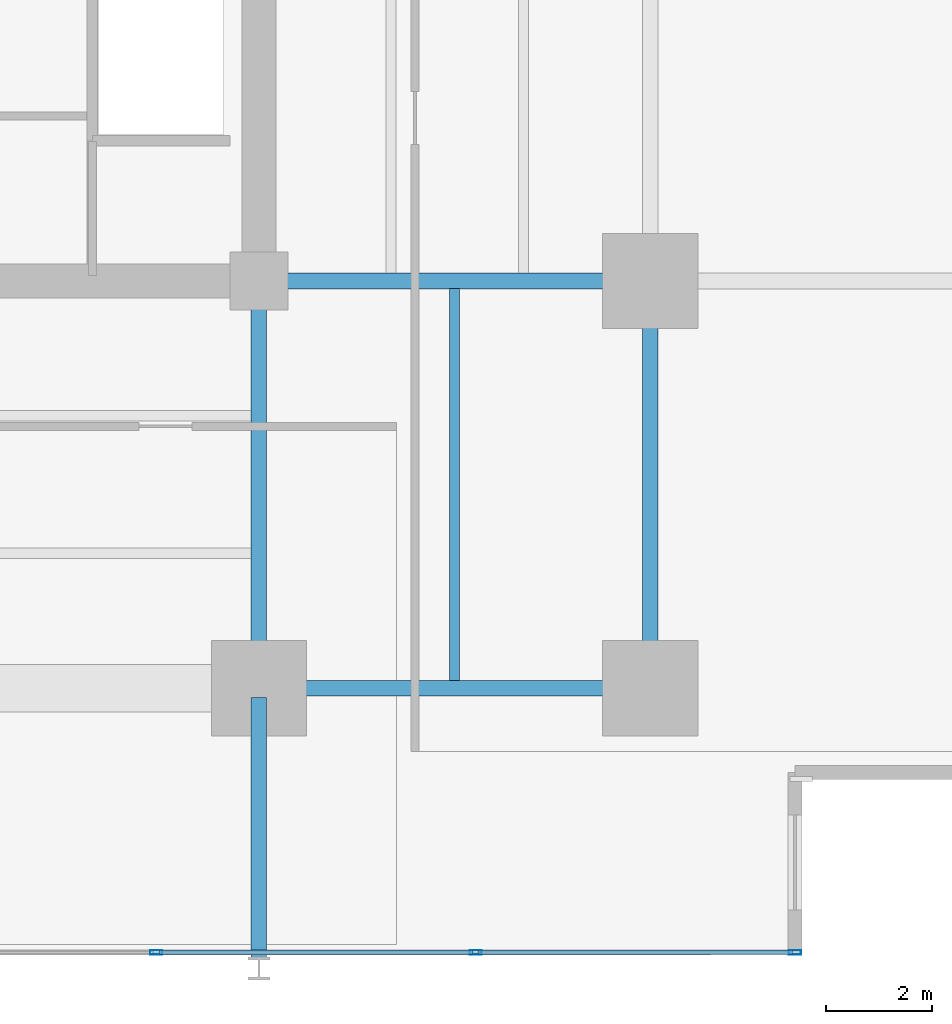
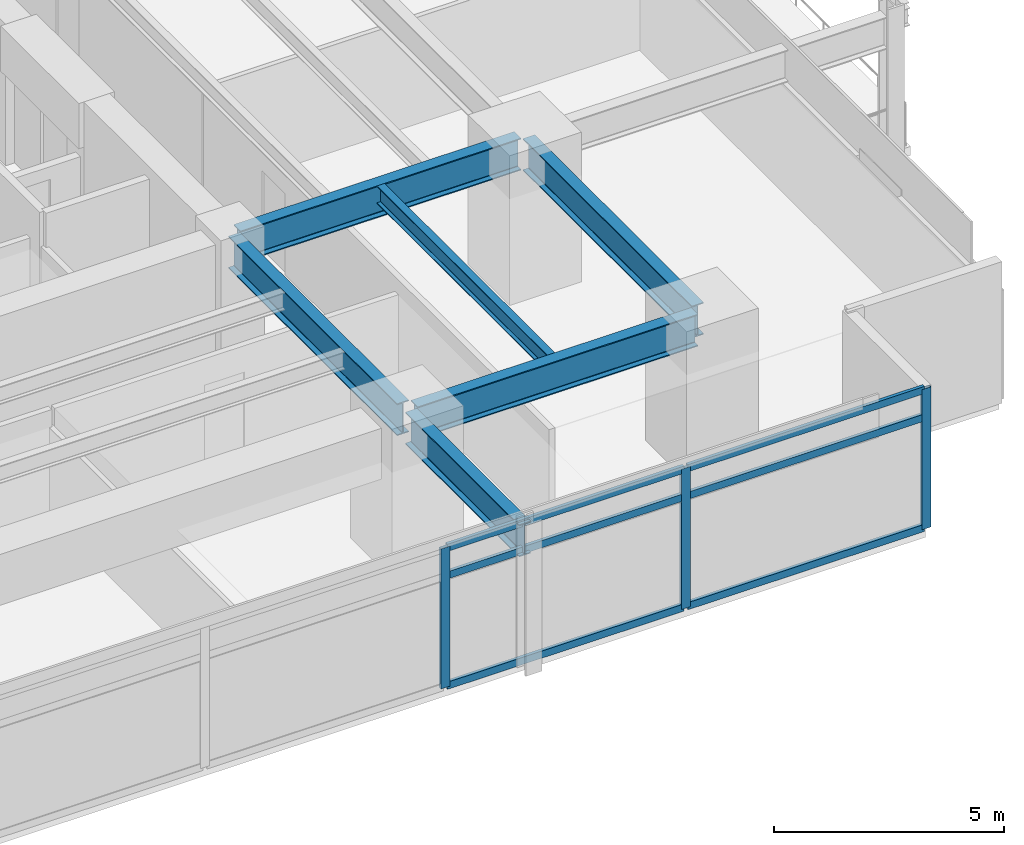
# One storey, part 6 of 21: 9 members, 6 beams, 1 element without a shape of its own.
"""IFC4 building model written with IfcOpenShell, lengths in metres."""

from ifc_helpers import new_model, si_unit, direction, frame, origin, origin_2d, place, context, subcontext, project, spatial, hollow_rectangle, i_section, extrude, material, material_profile, profile_set, type_object, element, aggregate, save


model = new_model("IFC4")

# Units and contexts
model_context = context("Model", 3, precision=1e-05, world=origin(), true_north=direction((0.0, 1.0)))
body_context = subcontext(model_context, "Body", "Model", "MODEL_VIEW")
ifc_project = project(units=[si_unit("LENGTHUNIT", "METRE"), si_unit("AREAUNIT", "SQUARE_METRE"), si_unit("VOLUMEUNIT", "CUBIC_METRE"), si_unit("PLANEANGLEUNIT", "RADIAN"), si_unit("MASSUNIT", "GRAM", prefix="KILO")], contexts=[model_context])

# Site, building, storey
site_placement = place(None, origin())
site = spatial("IfcSite", under=ifc_project, at=site_placement, CompositionType="ELEMENT")
building_placement = place(site_placement, origin())
building = spatial("IfcBuilding", under=site, at=building_placement, Name="Kovane Verandah Tower", CompositionType="ELEMENT")
storey_placement = place(building_placement, frame((0.0, 0.0, 31.60009765625)))
storey = spatial("IfcBuildingStorey", under=building, at=storey_placement, Name="L06", CompositionType="ELEMENT", Elevation=31.60009765625)

# Beams
ifc_material_1 = material(Name="Steel S355", Category="steel")
ifc_material_profile_1 = material_profile(ifc_material_1, i_section(OverallWidth=0.293701171875, OverallDepth=0.850830078125, WebThickness=0.01611328125, FlangeThickness=0.02685546875, FilletRadius=0.017822265625, at=origin_2d()), Name="UB838x292x226")
ifc_profile_set_1 = profile_set([ifc_material_profile_1], Name="Steel S355")
beam_type_1 = type_object("IfcBeamType", Name="BM-UB838x226", PredefinedType="BEAM", material=ifc_profile_set_1)
beam_1_placement = place(storey_placement, frame((51.179931640625, 10.800048828125, 3.33447265625), z_axis=(1.0, 0.0, 0.0), x_axis=(0.0, 1.0, 0.0)))
element("IfcBeam", 1, at=beam_1_placement, inside=storey, type_object=beam_type_1, Name="L06 Primary Tower Girder G-RS3", PredefinedType="BEAM", context=body_context, shape_type="SweptSolid", body=[
    extrude(i_section(OverallWidth=0.293701171875, OverallDepth=0.850830078125, WebThickness=0.01611328125, FlangeThickness=0.02685546875, FilletRadius=0.017822265625, at=origin_2d()), origin(), (0.0, 0.0, 1.0), 7.0400390625),
])
beam_2_placement = place(storey_placement, frame((58.39990234375, 10.97998046875, 3.33447265625), z_axis=(0.0, 1.0, 0.0), x_axis=(-1.0, 0.0, 0.0)))
element("IfcBeam", 2, at=beam_2_placement, inside=storey, type_object=beam_type_1, Name="L06 Primary Tower Girder G-RE1", PredefinedType="BEAM", context=body_context, shape_type="SweptSolid", body=[
    extrude(i_section(OverallWidth=0.293701171875, OverallDepth=0.850830078125, WebThickness=0.01611328125, FlangeThickness=0.02685546875, FilletRadius=0.017822265625, at=origin_2d()), origin(), (0.0, 0.0, 1.0), 7.340087890625),
])
beam_3_placement = place(storey_placement, frame((51.179931640625, 18.5, 3.33447265625), z_axis=(1.0, 0.0, 0.0), x_axis=(0.0, 1.0, 0.0)))
element("IfcBeam", 3, at=beam_3_placement, inside=storey, type_object=beam_type_1, Name="L06 Primary Tower Girder G-E1", PredefinedType="BEAM", context=body_context, shape_type="SweptSolid", body=[
    extrude(i_section(OverallWidth=0.293701171875, OverallDepth=0.850830078125, WebThickness=0.01611328125, FlangeThickness=0.02685546875, FilletRadius=0.017822265625, at=origin_2d()), origin(), (0.0, 0.0, 1.0), 7.0400390625),
])
beam_4_placement = place(storey_placement, frame((51.0, 18.320068359375, 3.33447265625), z_axis=(0.0, -1.0, 0.0), x_axis=(1.0, 0.0, 0.0)))
element("IfcBeam", 4, at=beam_4_placement, inside=storey, type_object=beam_type_1, Name="L06 Primary Tower Girder G-S2", PredefinedType="BEAM", context=body_context, shape_type="SweptSolid", body=[
    extrude(i_section(OverallWidth=0.293701171875, OverallDepth=0.850830078125, WebThickness=0.01611328125, FlangeThickness=0.02685546875, FilletRadius=0.017822265625, at=origin_2d()), origin(), (0.0, 0.0, 1.0), 7.340087890625),
])
beam_5_placement = place(storey_placement, frame((51.0, 10.6201171875, 3.33447265625), z_axis=(0.0, -1.0, 0.0), x_axis=(1.0, 0.0, 0.0)))
element("IfcBeam", 5, at=beam_5_placement, inside=storey, type_object=beam_type_1, Name="L06 Primary Tower Girder G-VS2", PredefinedType="BEAM", context=body_context, shape_type="SweptSolid", body=[
    extrude(i_section(OverallWidth=0.293701171875, OverallDepth=0.850830078125, WebThickness=0.01611328125, FlangeThickness=0.02685546875, FilletRadius=0.017822265625, at=origin_2d()), origin(), (0.0, 0.0, 1.0), 4.940185546875),
])

# Curtain wall, members
ifc_material_2 = material(Name="Champagne Anodised Aluminium Frame with Low-E Clear Laminated Glass", Category="aluminium")
curtain_wall_type = type_object("IfcCurtainWallType", Name="CW-SYS-02-LOW", PredefinedType="NOTDEFINED", material=ifc_material_2)
curtain_wall_placement = place(storey_placement, origin())
curtain_wall = element("IfcCurtainWall", 6, at=curtain_wall_placement, inside=storey, type_object=curtain_wall_type, Name="L06 S Unitised Curtain Wall", PredefinedType="NOTDEFINED")
ifc_material_3 = material(Name="Champagne Anodised Aluminium 6063-T6", Category="aluminium")
ifc_material_profile_2 = material_profile(ifc_material_3, hollow_rectangle(XDim=0.0849609375, YDim=0.22998046875, WallThickness=0.00390625, at=origin_2d()), Name="AL85x230x4")
ifc_profile_set_2 = profile_set([ifc_material_profile_2], Name="Champagne Anodised Aluminium 6063-T6")
member_type_1 = type_object("IfcMemberType", Name="CW-MUL-85x230", PredefinedType="MULLION", material=ifc_profile_set_2)
member_1_placement = place(storey_placement, frame((49.05810546875, 5.804931640625, 0.02001953125), z_axis=(0.0, 0.0, 1.0), x_axis=(0.0, -1.0, 0.0)))
member_1 = element("IfcMember", 7, at=member_1_placement, type_object=member_type_1, Name="L06 S Unitised Curtain Wall Mullion 6", PredefinedType="MULLION", context=body_context, shape_type="SweptSolid", body=[
    extrude(hollow_rectangle(XDim=0.0849609375, YDim=0.22998046875, WallThickness=0.00390625, at=origin_2d()), origin(), (0.0, 0.0, 1.0), 3.719970703125),
])
member_2_placement = place(storey_placement, frame((55.096923828125, 5.804931640625, 0.02001953125), z_axis=(0.0, 0.0, 1.0), x_axis=(0.0, -1.0, 0.0)))
member_2 = element("IfcMember", 8, at=member_2_placement, type_object=member_type_1, Name="L06 S Unitised Curtain Wall Mullion 7", PredefinedType="MULLION", context=body_context, shape_type="SweptSolid", body=[
    extrude(hollow_rectangle(XDim=0.0849609375, YDim=0.22998046875, WallThickness=0.00390625, at=origin_2d()), origin(), (0.0, 0.0, 1.0), 3.719970703125),
])
member_3_placement = place(storey_placement, frame((61.1357421875, 5.804931640625, 0.02001953125), z_axis=(0.0, 0.0, 1.0), x_axis=(0.0, -1.0, 0.0)))
member_3 = element("IfcMember", 9, at=member_3_placement, type_object=member_type_1, Name="L06 S Unitised Curtain Wall Mullion 8", PredefinedType="MULLION", context=body_context, shape_type="SweptSolid", body=[
    extrude(hollow_rectangle(XDim=0.0849609375, YDim=0.22998046875, WallThickness=0.00390625, at=origin_2d()), origin(), (0.0, 0.0, 1.0), 3.719970703125),
])
ifc_material_profile_3 = material_profile(ifc_material_3, hollow_rectangle(XDim=0.0849609375, YDim=0.18994140625, WallThickness=0.00390625, at=origin_2d()), Name="AL85x190x4")
ifc_profile_set_3 = profile_set([ifc_material_profile_3], Name="Champagne Anodised Aluminium 6063-T6")
member_type_2 = type_object("IfcMemberType", Name="CW-TRN-85x190", PredefinedType="USERDEFINED", material=ifc_profile_set_3)
member_4_placement = place(storey_placement, frame((49.108154296875, 5.804931640625, 0.0498046875), z_axis=(1.0, 0.0, 0.0), x_axis=(0.0, 1.0, 0.0)))
member_4 = element("IfcMember", 10, at=member_4_placement, type_object=member_type_2, Name="L06 S Unitised Curtain Wall Transom TB Bay 6", ObjectType="TRANSOM", PredefinedType="USERDEFINED", context=body_context, shape_type="SweptSolid", body=[
    extrude(hollow_rectangle(XDim=0.0849609375, YDim=0.18994140625, WallThickness=0.00390625, at=origin_2d()), origin(), (0.0, 0.0, 1.0), 5.938720703125),
])
member_5_placement = place(storey_placement, frame((49.108154296875, 5.804931640625, 2.97998046875), z_axis=(1.0, 0.0, 0.0), x_axis=(0.0, 1.0, 0.0)))
member_5 = element("IfcMember", 11, at=member_5_placement, type_object=member_type_2, Name="L06 S Unitised Curtain Wall Transom TM Bay 6", ObjectType="TRANSOM", PredefinedType="USERDEFINED", context=body_context, shape_type="SweptSolid", body=[
    extrude(hollow_rectangle(XDim=0.0849609375, YDim=0.18994140625, WallThickness=0.00390625, at=origin_2d()), origin(), (0.0, 0.0, 1.0), 5.938720703125),
])
member_6_placement = place(storey_placement, frame((49.108154296875, 5.804931640625, 3.7099609375), z_axis=(1.0, 0.0, 0.0), x_axis=(0.0, 1.0, 0.0)))
member_6 = element("IfcMember", 12, at=member_6_placement, type_object=member_type_2, Name="L06 S Unitised Curtain Wall Transom TT Bay 6", ObjectType="TRANSOM", PredefinedType="USERDEFINED", context=body_context, shape_type="SweptSolid", body=[
    extrude(hollow_rectangle(XDim=0.0849609375, YDim=0.18994140625, WallThickness=0.00390625, at=origin_2d()), origin(), (0.0, 0.0, 1.0), 5.938720703125),
])
member_7_placement = place(storey_placement, frame((55.14697265625, 5.804931640625, 0.0498046875), z_axis=(1.0, 0.0, 0.0), x_axis=(0.0, 1.0, 0.0)))
member_7 = element("IfcMember", 13, at=member_7_placement, type_object=member_type_2, Name="L06 S Unitised Curtain Wall Transom TB Bay 7", ObjectType="TRANSOM", PredefinedType="USERDEFINED", context=body_context, shape_type="SweptSolid", body=[
    extrude(hollow_rectangle(XDim=0.0849609375, YDim=0.18994140625, WallThickness=0.00390625, at=origin_2d()), origin(), (0.0, 0.0, 1.0), 5.938720703125),
])
member_8_placement = place(storey_placement, frame((55.14697265625, 5.804931640625, 2.97998046875), z_axis=(1.0, 0.0, 0.0), x_axis=(0.0, 1.0, 0.0)))
member_8 = element("IfcMember", 14, at=member_8_placement, type_object=member_type_2, Name="L06 S Unitised Curtain Wall Transom TM Bay 7", ObjectType="TRANSOM", PredefinedType="USERDEFINED", context=body_context, shape_type="SweptSolid", body=[
    extrude(hollow_rectangle(XDim=0.0849609375, YDim=0.18994140625, WallThickness=0.00390625, at=origin_2d()), origin(), (0.0, 0.0, 1.0), 5.938720703125),
])
member_9_placement = place(storey_placement, frame((55.14697265625, 5.804931640625, 3.7099609375), z_axis=(1.0, 0.0, 0.0), x_axis=(0.0, 1.0, 0.0)))
member_9 = element("IfcMember", 15, at=member_9_placement, type_object=member_type_2, Name="L06 S Unitised Curtain Wall Transom TT Bay 7", ObjectType="TRANSOM", PredefinedType="USERDEFINED", context=body_context, shape_type="SweptSolid", body=[
    extrude(hollow_rectangle(XDim=0.0849609375, YDim=0.18994140625, WallThickness=0.00390625, at=origin_2d()), origin(), (0.0, 0.0, 1.0), 5.938720703125),
])
aggregate(curtain_wall, [member_1, member_2, member_3, member_4, member_5, member_6, member_7, member_8, member_9])

# Beam
ifc_material_profile_4 = material_profile(ifc_material_1, i_section(OverallWidth=0.19287109375, OverallDepth=0.46728515625, WebThickness=0.011474609375, FlangeThickness=0.01953125, FilletRadius=0.01025390625, at=origin_2d()), Name="UB457x191x98")
ifc_profile_set_4 = profile_set([ifc_material_profile_4], Name="Steel S355")
beam_type_2 = type_object("IfcBeamType", Name="JST-UB457x98", PredefinedType="JOIST", material=ifc_profile_set_4)
beam_6_placement = place(storey_placement, frame((54.699951171875, 10.94482421875, 3.5263671875), z_axis=(0.0, 1.0, 0.0), x_axis=(-1.0, 0.0, 0.0)))
element("IfcBeam", 16, at=beam_6_placement, inside=storey, type_object=beam_type_2, Name="L06 Secondary Composite Joist J-SE1", PredefinedType="JOIST", context=body_context, shape_type="SweptSolid", body=[
    extrude(i_section(OverallWidth=0.19287109375, OverallDepth=0.46728515625, WebThickness=0.011474609375, FlangeThickness=0.01953125, FilletRadius=0.01025390625, at=origin_2d()), origin(), (0.0, 0.0, 1.0), 7.41015625),
])

save(model, "model.ifc")
